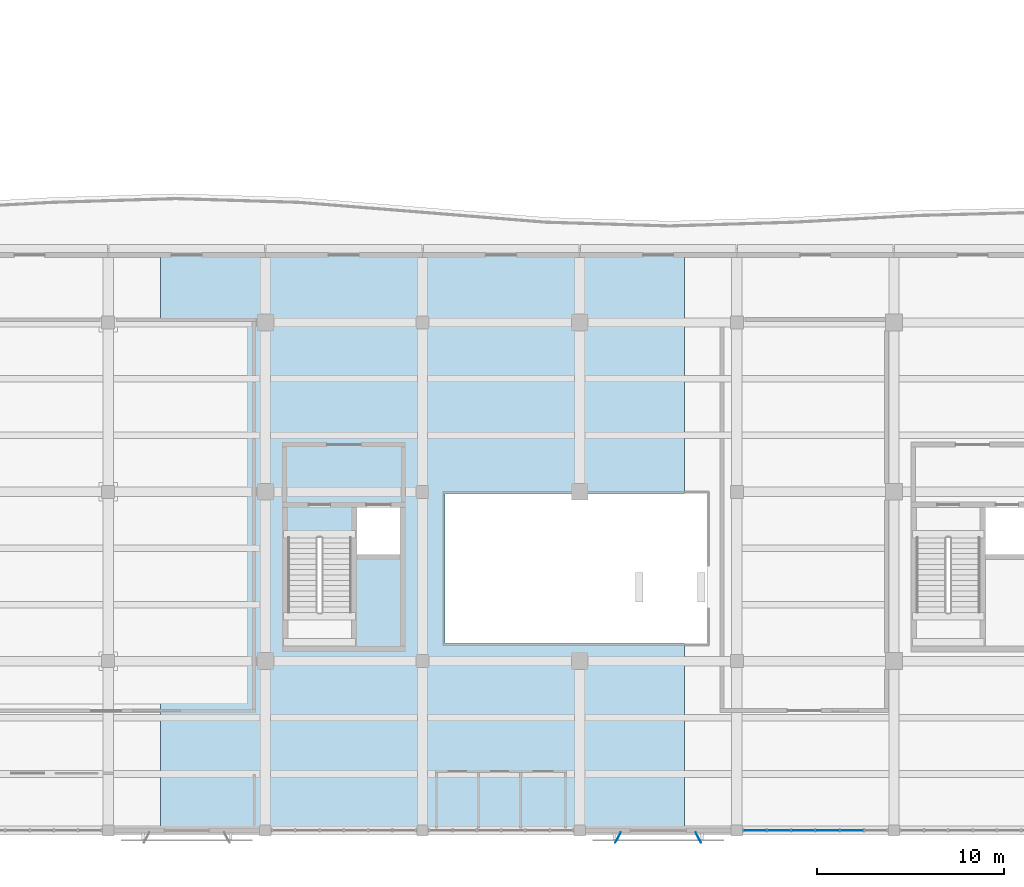
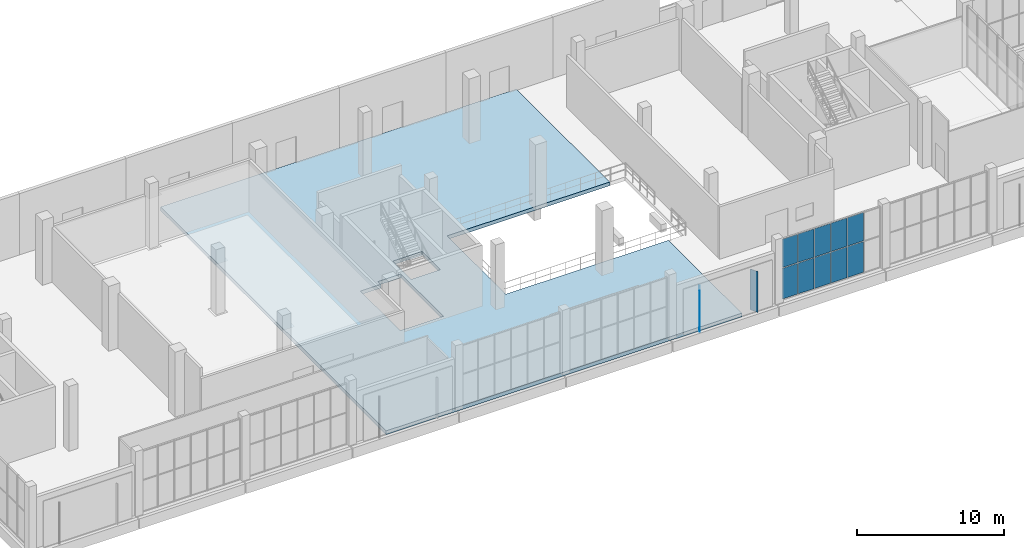
# One storey, part 98 of 132: 12 plates, 1 slab, 1 element without a shape of its own.
"""IFC4 building model written with IfcOpenShell, lengths in metres."""

import ifcopenshell
import ifcopenshell.guid

model = None  # the IFC model being written
_history = None  # IfcOwnerHistory: only IFC2X3 demands one
_inside = {}  # id of a spatial element -> (the spatial element, [elements in it])
_under = {}  # id of a project, library or spatial element -> (it, [spatial elements below it])
_declared = {}  # id of a project -> (the project, [libraries it declares])
_typed = {}  # id of a type object -> (the type object, [elements of that type])
_made_of = {}  # id of a material, layer set ... -> (it, [elements and type objects made of it])


def new_model(schema):
    """Start an empty IFC model of exactly this schema.

    Asked for "IFC4X3", IfcOpenShell would pick the latest addendum, in which some entities
    have other attributes; the version numbers below select the first issue.
    IFC2X3 requires an IfcOwnerHistory on every rooted entity: one is made here for all.
    """
    global model, _history
    if schema == "IFC4X3":
        model = ifcopenshell.file(schema_version=(4, 3, 0, 0))
    else:
        model = ifcopenshell.file(schema=schema)
    _inside.clear()
    _under.clear()
    _declared.clear()
    _typed.clear()
    _made_of.clear()
    _history = None
    if model.schema == "IFC2X3":
        org = make("IfcOrganization", Name="unknown")
        user = make(
            "IfcPersonAndOrganization",
            ThePerson=make("IfcPerson", FamilyName="unknown"),
            TheOrganization=org,
        )
        app = make(
            "IfcApplication",
            ApplicationDeveloper=org,
            Version="unknown",
            ApplicationFullName="unknown",
            ApplicationIdentifier="unknown",
        )
        _history = make(
            "IfcOwnerHistory",
            OwningUser=user,
            OwningApplication=app,
            ChangeAction="ADDED",
            CreationDate=0,
        )
    return model


def make(cls, **values):
    """One entity of the class cls with the attributes given. An attribute that is None is left unset."""
    return model.create_entity(
        cls, **{name: value for name, value in values.items() if value is not None}
    )


def rooted(cls, **values):
    """An entity with a GlobalId (a new one), such as an element, a storey or a relation."""
    return make(cls, GlobalId=ifcopenshell.guid.new(), OwnerHistory=_history, **values)


def si_unit(unit_type, name, prefix=None):
    """IfcSIUnit, for example si_unit("LENGTHUNIT", "METRE", prefix="MILLI")."""
    return make("IfcSIUnit", UnitType=unit_type, Prefix=prefix, Name=name)


def assignment(units):
    """IfcUnitAssignment: the units of a project."""
    return None if units is None else make("IfcUnitAssignment", Units=units)


def point(xyz):
    """IfcCartesianPoint."""
    return None if xyz is None else make("IfcCartesianPoint", Coordinates=xyz)


def direction(xyz):
    """IfcDirection."""
    return None if xyz is None else make("IfcDirection", DirectionRatios=xyz)


def frame(location, z_axis=None, x_axis=None):
    """IfcAxis2Placement3D, a coordinate frame: its origin and axes. An axis left out is left unset."""
    return make(
        "IfcAxis2Placement3D",
        Location=point(location),
        Axis=direction(z_axis),
        RefDirection=direction(x_axis),
    )


def frame_2d(location, x_axis=None):
    """IfcAxis2Placement2D, a coordinate frame in the plane: its origin and x axis."""
    return make(
        "IfcAxis2Placement2D", Location=point(location), RefDirection=direction(x_axis)
    )


def origin():
    """The frame at (0, 0, 0) with its axes left unset."""
    return frame((0.0, 0.0, 0.0))


def origin_2d():
    """The frame at (0, 0) in the plane with its x axis left unset."""
    return frame_2d((0.0, 0.0))


def place(relative_to, where):
    """IfcLocalPlacement: puts the frame where relative to a parent placement (None: the world)."""
    return make(
        "IfcLocalPlacement", PlacementRelTo=relative_to, RelativePlacement=where
    )


def context(
    kind, dimensions, precision=None, world=None, true_north=None, identifier=None
):
    """IfcGeometricRepresentationContext, for example the 3D "Model" context."""
    return make(
        "IfcGeometricRepresentationContext",
        ContextIdentifier=identifier,
        ContextType=kind,
        CoordinateSpaceDimension=dimensions,
        Precision=precision,
        WorldCoordinateSystem=world,
        TrueNorth=true_north,
    )


def subcontext(parent, identifier, kind, view, scale=None):
    """IfcGeometricRepresentationSubContext, for example "Body" below "Model"."""
    return make(
        "IfcGeometricRepresentationSubContext",
        ContextIdentifier=identifier,
        ContextType=kind,
        ParentContext=parent,
        TargetScale=scale,
        TargetView=view,
    )


def project(units=None, contexts=None):
    """IfcProject with its units and contexts."""
    return rooted(
        "IfcProject",
        Name="project",
        RepresentationContexts=contexts,
        UnitsInContext=assignment(units),
    )


def spatial(cls, under=None, at=None, **own):
    """A site, building, storey or space (cls), placed at a placement, below another one or the project."""
    s = rooted(cls, ObjectPlacement=at, **own)
    if under is not None:
        _under.setdefault(under.id(), (under, []))[1].append(s)
    return s


def polyline(points):
    """IfcPolyline through the points."""
    return make("IfcPolyline", Points=[point(p) for p in points])


def profile(cls, at=None, kind="AREA", **sizes):
    """A parametric profile (cls). Its sizes go by their IFC names, for example OverallWidth=200.0."""
    return make(cls, ProfileType=kind, Position=at, **sizes)


def rectangle(**sizes):
    """IfcRectangleProfileDef."""
    return profile("IfcRectangleProfileDef", **sizes)


def outline(outer, holes=None, kind="AREA"):
    """IfcArbitraryClosedProfileDef: a profile drawn as a closed curve; with holes, ...WithVoids."""
    if holes is None:
        return make("IfcArbitraryClosedProfileDef", ProfileType=kind, OuterCurve=outer)
    return make(
        "IfcArbitraryProfileDefWithVoids",
        ProfileType=kind,
        OuterCurve=outer,
        InnerCurves=holes,
    )


def extrude(swept, where, along, depth):
    """IfcExtrudedAreaSolid: the profile swept, set in the frame where, extruded along a direction by depth."""
    return make(
        "IfcExtrudedAreaSolid",
        SweptArea=swept,
        Position=where,
        ExtrudedDirection=direction(along),
        Depth=depth,
    )


def shape(context_of_items, identifier, shape_type, items):
    """IfcShapeRepresentation: the items that make up one representation, for example the "Body"."""
    return make(
        "IfcShapeRepresentation",
        ContextOfItems=context_of_items,
        RepresentationIdentifier=identifier,
        RepresentationType=shape_type,
        Items=items,
    )


def material(Name=None, Category=None):
    """IfcMaterial."""
    return make("IfcMaterial", Name=Name, Category=Category)


def layer(
    of_material, thickness, ventilated=None, Name=None, Category=None, Priority=None
):
    """IfcMaterialLayer: one layer of a wall or slab, of a material (None: an air gap)."""
    return make(
        "IfcMaterialLayer",
        Material=of_material,
        LayerThickness=thickness,
        IsVentilated=ventilated,
        Name=Name,
        Category=Category,
        Priority=Priority,
    )


def layer_set(layers, Name=None):
    """IfcMaterialLayerSet."""
    return make("IfcMaterialLayerSet", MaterialLayers=layers, LayerSetName=Name)


def made_of(thing, what):
    """Note that an element or type object is made of a material, layer set ...; save() writes the relation."""
    if what is not None:
        _made_of.setdefault(what.id(), (what, []))[1].append(thing)
    return thing


def type_object(cls, material=None, **own):
    """A type object (cls), such as IfcWallType, which elements share."""
    return made_of(rooted(cls, **own), material)


def element(
    cls,
    number,
    at=None,
    inside=None,
    cuts=None,
    type_object=None,
    material=None,
    context=None,
    identifier="Body",
    shape_type=None,
    held_by="IfcProductDefinitionShape",
    body=None,
    shapes=None,
    **own,
):
    """One element of the class cls, such as IfcWall. Its Tag is "e" and its number.

    at: its placement. inside: the storey or other place that contains it. cuts: it is an
    opening in that element (IfcRelVoidsElement). A single representation is given by context,
    identifier, shape_type and body (its items); several are given by shapes. held_by: the class
    of the entity that holds the representations. save() writes the other relations.
    """
    e = rooted(cls, Tag="e%d" % number, ObjectPlacement=at, **own)
    if body is not None:
        shapes = [shape(context, identifier, shape_type, body)]
    if shapes is not None:
        e.Representation = make(held_by, Representations=shapes)
    if inside is not None:
        _inside.setdefault(inside.id(), (inside, []))[1].append(e)
    if cuts is not None:
        rooted(
            "IfcRelVoidsElement", RelatingBuildingElement=cuts, RelatedOpeningElement=e
        )
    if type_object is not None:
        _typed.setdefault(type_object.id(), (type_object, []))[1].append(e)
    return made_of(e, material)


def aggregate(whole, parts):
    """IfcRelAggregates: a whole, such as a stair, and the parts it consists of."""
    return rooted("IfcRelAggregates", RelatingObject=whole, RelatedObjects=parts)


def save(model, path):
    """Write the relations noted so far, then the file.

    IfcRelAggregates (storeys below a building ...), IfcRelContainedInSpatialStructure (elements
    in a storey), IfcRelDefinesByType, IfcRelAssociatesMaterial and IfcRelDeclares: one each for
    every whole, place, type object, material and project.
    """
    for whole, parts in _under.values():
        aggregate(whole, parts)
    for where, things in _inside.values():
        rooted(
            "IfcRelContainedInSpatialStructure",
            RelatedElements=things,
            RelatingStructure=where,
        )
    for kind, things in _typed.values():
        rooted("IfcRelDefinesByType", RelatedObjects=things, RelatingType=kind)
    for what, things in _made_of.values():
        rooted("IfcRelAssociatesMaterial", RelatedObjects=things, RelatingMaterial=what)
    for by, libraries in _declared.values():
        rooted("IfcRelDeclares", RelatingContext=by, RelatedDefinitions=libraries)
    model.write(path)


model = new_model("IFC4")

# Units and contexts
model_context = context("Model", 3, precision=1e-05, world=origin(), true_north=direction((0.0, 1.0)))
body_context = subcontext(model_context, "Body", "Model", "MODEL_VIEW")
ifc_project = project(units=[si_unit("LENGTHUNIT", "METRE"), si_unit("AREAUNIT", "SQUARE_METRE"), si_unit("VOLUMEUNIT", "CUBIC_METRE"), si_unit("PLANEANGLEUNIT", "RADIAN"), si_unit("MASSUNIT", "GRAM", prefix="KILO")], contexts=[model_context])

# Site, building, storey
site_placement = place(None, origin())
site = spatial("IfcSite", under=ifc_project, at=site_placement, CompositionType="ELEMENT")
building_placement = place(site_placement, origin())
building = spatial("IfcBuilding", under=site, at=building_placement, Name="Khurvash Pelagic Aquarium", CompositionType="ELEMENT")
storey_placement = place(building_placement, frame((0.0, 0.0, 5.39990234375)))
storey = spatial("IfcBuildingStorey", under=building, at=storey_placement, Name="L01", CompositionType="ELEMENT", Elevation=5.39990234375)

# Curtain wall, plates
ifc_material_1 = material(Name="Anodised aluminium and low-E laminated glass", Category="aluminium")
curtain_wall_type = type_object("IfcCurtainWallType", Name="CW-05", PredefinedType="USERDEFINED", material=ifc_material_1)
curtain_wall_placement = place(storey_placement, origin())
curtain_wall = element("IfcCurtainWall", 1, at=curtain_wall_placement, inside=storey, type_object=curtain_wall_type, Name="L01 Facade Unitised Curtain Wall CW-05 0106", ObjectType="UNITISED CURTAIN WALL", PredefinedType="USERDEFINED")
ifc_material_2 = material(Name="Low-E laminated double glazing", Category="glass")
ifc_layer_1 = layer(ifc_material_2, 0.033935546875)
ifc_layer_set_1 = layer_set([ifc_layer_1], Name="Low-E laminated double glazing")
plate_type_1 = type_object("IfcPlateType", Name="CG-05", PredefinedType="CURTAIN_PANEL", material=ifc_layer_set_1)
plate_1_placement = place(storey_placement, frame((84.96923828125, 2.60009765625, 0.06005859375), z_axis=(0.0, 0.0, 1.0), x_axis=(1.0, 0.0, 0.0)))
plate_1 = element("IfcPlate", 2, at=plate_1_placement, type_object=plate_type_1, Name="CW-05 panel 1.1", PredefinedType="CURTAIN_PANEL", context=body_context, shape_type="SweptSolid", body=[
    extrude(rectangle(XDim=1.208251953125, YDim=0.033935546875, at=origin_2d()), origin(), (0.0, 0.0, 1.0), 2.56201171875),
])
plate_2_placement = place(storey_placement, frame((84.96923828125, 2.60009765625, 2.68212890625), z_axis=(0.0, 0.0, 1.0), x_axis=(1.0, 0.0, 0.0)))
plate_2 = element("IfcPlate", 3, at=plate_2_placement, type_object=plate_type_1, Name="CW-05 panel 1.2", PredefinedType="CURTAIN_PANEL", context=body_context, shape_type="SweptSolid", body=[
    extrude(rectangle(XDim=1.208251953125, YDim=0.033935546875, at=origin_2d()), origin(), (0.0, 0.0, 1.0), 2.35791015625),
])
plate_3_placement = place(storey_placement, frame((86.25244140625, 2.60009765625, 0.06005859375), z_axis=(0.0, 0.0, 1.0), x_axis=(1.0, 0.0, 0.0)))
plate_3 = element("IfcPlate", 4, at=plate_3_placement, type_object=plate_type_1, Name="CW-05 panel 2.1", PredefinedType="CURTAIN_PANEL", context=body_context, shape_type="SweptSolid", body=[
    extrude(rectangle(XDim=1.23828125, YDim=0.033935546875, at=origin_2d()), origin(), (0.0, 0.0, 1.0), 2.56201171875),
])
plate_4_placement = place(storey_placement, frame((86.25244140625, 2.60009765625, 2.68212890625), z_axis=(0.0, 0.0, 1.0), x_axis=(1.0, 0.0, 0.0)))
plate_4 = element("IfcPlate", 5, at=plate_4_placement, type_object=plate_type_1, Name="CW-05 panel 2.2", PredefinedType="CURTAIN_PANEL", context=body_context, shape_type="SweptSolid", body=[
    extrude(rectangle(XDim=1.23828125, YDim=0.033935546875, at=origin_2d()), origin(), (0.0, 0.0, 1.0), 2.35791015625),
])
plate_5_placement = place(storey_placement, frame((87.55078125, 2.60009765625, 0.06005859375), z_axis=(0.0, 0.0, 1.0), x_axis=(1.0, 0.0, 0.0)))
plate_5 = element("IfcPlate", 6, at=plate_5_placement, type_object=plate_type_1, Name="CW-05 panel 3.1", PredefinedType="CURTAIN_PANEL", context=body_context, shape_type="SweptSolid", body=[
    extrude(rectangle(XDim=1.23828125, YDim=0.033935546875, at=origin_2d()), origin(), (0.0, 0.0, 1.0), 2.56201171875),
])
plate_6_placement = place(storey_placement, frame((87.55078125, 2.60009765625, 2.68212890625), z_axis=(0.0, 0.0, 1.0), x_axis=(1.0, 0.0, 0.0)))
plate_6 = element("IfcPlate", 7, at=plate_6_placement, type_object=plate_type_1, Name="CW-05 panel 3.2", PredefinedType="CURTAIN_PANEL", context=body_context, shape_type="SweptSolid", body=[
    extrude(rectangle(XDim=1.23828125, YDim=0.033935546875, at=origin_2d()), origin(), (0.0, 0.0, 1.0), 2.35791015625),
])
plate_7_placement = place(storey_placement, frame((88.84912109375, 2.60009765625, 0.06005859375), z_axis=(0.0, 0.0, 1.0), x_axis=(1.0, 0.0, 0.0)))
plate_7 = element("IfcPlate", 8, at=plate_7_placement, type_object=plate_type_1, Name="CW-05 panel 4.1", PredefinedType="CURTAIN_PANEL", context=body_context, shape_type="SweptSolid", body=[
    extrude(rectangle(XDim=1.23828125, YDim=0.033935546875, at=origin_2d()), origin(), (0.0, 0.0, 1.0), 2.56201171875),
])
plate_8_placement = place(storey_placement, frame((88.84912109375, 2.60009765625, 2.68212890625), z_axis=(0.0, 0.0, 1.0), x_axis=(1.0, 0.0, 0.0)))
plate_8 = element("IfcPlate", 9, at=plate_8_placement, type_object=plate_type_1, Name="CW-05 panel 4.2", PredefinedType="CURTAIN_PANEL", context=body_context, shape_type="SweptSolid", body=[
    extrude(rectangle(XDim=1.23828125, YDim=0.033935546875, at=origin_2d()), origin(), (0.0, 0.0, 1.0), 2.35791015625),
])
plate_9_placement = place(storey_placement, frame((90.1474609375, 2.60009765625, 0.06005859375), z_axis=(0.0, 0.0, 1.0), x_axis=(1.0, 0.0, 0.0)))
plate_9 = element("IfcPlate", 10, at=plate_9_placement, type_object=plate_type_1, Name="CW-05 panel 5.1", PredefinedType="CURTAIN_PANEL", context=body_context, shape_type="SweptSolid", body=[
    extrude(rectangle(XDim=1.23828125, YDim=0.033935546875, at=origin_2d()), origin(), (0.0, 0.0, 1.0), 2.56201171875),
])
plate_10_placement = place(storey_placement, frame((90.1474609375, 2.60009765625, 2.68212890625), z_axis=(0.0, 0.0, 1.0), x_axis=(1.0, 0.0, 0.0)))
plate_10 = element("IfcPlate", 11, at=plate_10_placement, type_object=plate_type_1, Name="CW-05 panel 5.2", PredefinedType="CURTAIN_PANEL", context=body_context, shape_type="SweptSolid", body=[
    extrude(rectangle(XDim=1.23828125, YDim=0.033935546875, at=origin_2d()), origin(), (0.0, 0.0, 1.0), 2.35791015625),
])
aggregate(curtain_wall, [plate_1, plate_2, plate_3, plate_4, plate_5, plate_6, plate_7, plate_8, plate_9, plate_10])

# Slab
ifc_material_3 = material(Name="Concrete C40/50", Category="concrete")
ifc_layer_2 = layer(ifc_material_3, 0.31005859375)
ifc_layer_set_2 = layer_set([ifc_layer_2], Name="Concrete C40/50")
slab_type = type_object("IfcSlabType", Name="FS-310", PredefinedType="FLOOR", material=ifc_layer_set_2)
slab_placement = place(storey_placement, frame((0.0, 0.0, -0.309814453125)))
element("IfcSlab", 12, at=slab_placement, inside=storey, type_object=slab_type, Name="L01 Structural Floor Slab FS-310 V3_SOUTH.2", PredefinedType="FLOOR", context=body_context, shape_type="SweptSolid", body=[
    extrude(outline(polyline([(68.39990234375, 20.60009765625), (81.199951171875, 20.60009765625), (81.199951171875, 33.35009765625), (53.199951171875, 33.35009765625), (53.199951171875, 2.60009765625), (81.199951171875, 2.60009765625), (81.199951171875, 12.60009765625), (68.39990234375, 12.60009765625), (68.39990234375, 20.60009765625)]), holes=[polyline([(61.60009765625, 18.25), (63.39990234375, 18.25), (63.39990234375, 12.449951171875), (60.0, 12.449951171875), (60.0, 17.8701171875), (61.60009765625, 17.8701171875), (61.60009765625, 18.25)]), polyline([(66.0, 17.35009765625), (63.699951171875, 17.35009765625), (63.699951171875, 19.85009765625), (66.0, 19.85009765625), (66.0, 17.35009765625)])]), origin(), (0.0, 0.0, 1.0), 0.309814453125),
])

# Plates
ifc_material_4 = material(Name="Anodised aluminium AW-5005", Category="aluminium")
ifc_layer_3 = layer(ifc_material_4, 0.02392578125)
ifc_layer_set_3 = layer_set([ifc_layer_3], Name="Anodised aluminium AW-5005")
plate_type_2 = type_object("IfcPlateType", Name="SP-01", PredefinedType="SHEET", material=ifc_layer_set_3)
for number, where, z_axis, x_axis, name in (
    (13, (77.64990234375, 2.2119140625, 0.150146484375), (0.0, 0.0, 1.0), (-0.469471562786, -0.882947592859, 0.0), "L01 Parametric Folded Aluminium Solar Screen Fin SP-01 0005"),
    (14, (81.949951171875, 2.2119140625, 0.150146484375), (0.0, 0.0, 1.0), (0.469471562786, -0.882947592859, 0.0), "L01 Parametric Folded Aluminium Solar Screen Fin SP-01 0006"),
):
    element("IfcPlate", number, at=place(storey_placement, frame(where, z_axis=z_axis, x_axis=x_axis)), inside=storey, type_object=plate_type_2, Name=name, PredefinedType="SHEET", context=body_context, shape_type="SweptSolid", body=[
        extrude(rectangle(XDim=0.6201171875, YDim=0.02392578125, at=origin_2d()), origin(), (0.0, 0.0, 1.0), 3.39990234375),
    ])

save(model, "model.ifc")
